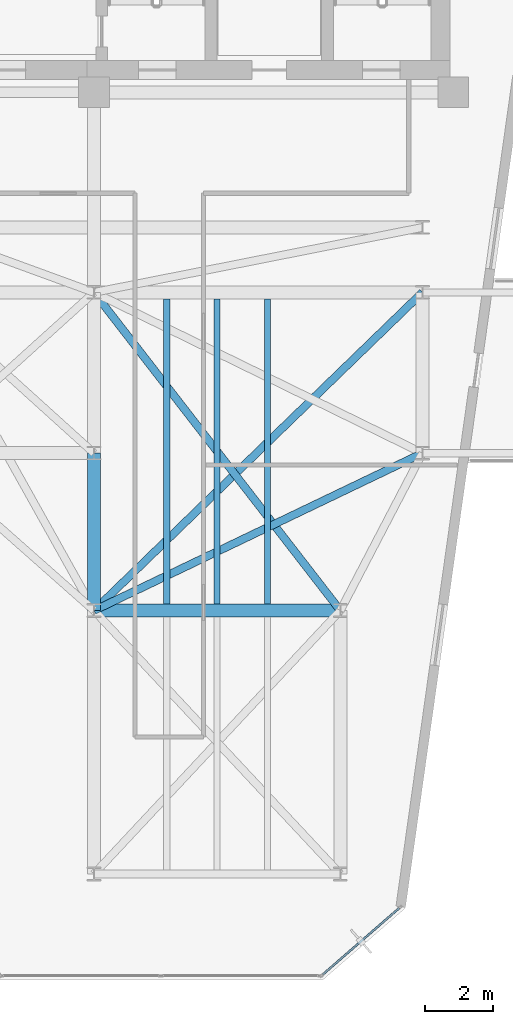
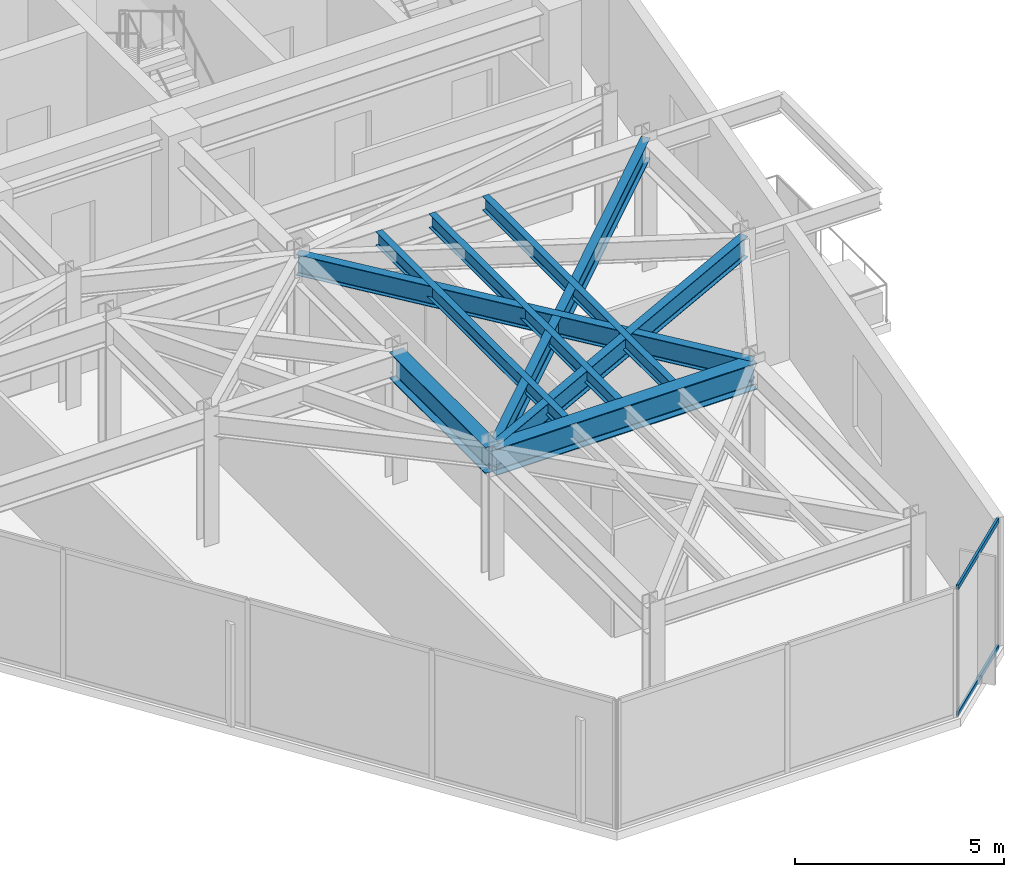
# One storey, part 19 of 27: 8 beams, 2 members, 1 element without a shape of its own.
"""IFC4 building model written with IfcOpenShell, lengths in metres."""

from ifc_helpers import new_model, si_unit, direction, frame, origin, origin_2d, place, context, subcontext, project, spatial, hollow_rectangle, i_section, extrude, material, layer, layer_set, material_profile, profile_set, type_object, element, aggregate, save


model = new_model("IFC4")

# Units and contexts
model_context = context("Model", 3, precision=1e-05, world=origin(), true_north=direction((0.0, 1.0)))
body_context = subcontext(model_context, "Body", "Model", "MODEL_VIEW")
ifc_project = project(units=[si_unit("LENGTHUNIT", "METRE"), si_unit("AREAUNIT", "SQUARE_METRE"), si_unit("VOLUMEUNIT", "CUBIC_METRE"), si_unit("PLANEANGLEUNIT", "RADIAN"), si_unit("MASSUNIT", "GRAM", prefix="KILO")], contexts=[model_context])

# Site, building, storey
site_placement = place(None, origin())
site = spatial("IfcSite", under=ifc_project, at=site_placement, CompositionType="ELEMENT")
building_placement = place(site_placement, origin())
building = spatial("IfcBuilding", under=site, at=building_placement, Name="Kravanh Interchange Tower", CompositionType="ELEMENT")
storey_placement = place(building_placement, frame((0.0, 0.0, 196.5)))
storey = spatial("IfcBuildingStorey", under=building, at=storey_placement, Name="L47", CompositionType="ELEMENT", Elevation=196.5)

# Curtain wall, members
ifc_material_1 = material(Name="Anodised Bronze Aluminium", Category="aluminium")
ifc_layer = layer(ifc_material_1, 0.179931640625)
ifc_layer_set = layer_set([ifc_layer], Name="Unitised Curtain Wall System CW-Z3 Upper Office")
curtain_wall_type = type_object("IfcCurtainWallType", Name="Unitised Curtain Wall System CW-Z3 Upper Office", PredefinedType="NOTDEFINED", material=ifc_layer_set)
curtain_wall_placement = place(storey_placement, origin())
curtain_wall = element("IfcCurtainWall", 1, at=curtain_wall_placement, inside=storey, type_object=curtain_wall_type, Name="L47 Unitised Curtain Wall CW-L47-02", PredefinedType="NOTDEFINED")
ifc_material_2 = material(Name="Anodised Bronze Aluminium", Category="aluminium")
ifc_material_profile_1 = material_profile(ifc_material_2, hollow_rectangle(XDim=0.06005859375, YDim=0.139892578125, WallThickness=0.00390625, at=origin_2d()), Name="ALU60X140X4")
ifc_profile_set_1 = profile_set([ifc_material_profile_1], Name="Anodised Bronze Aluminium")
member_type = type_object("IfcMemberType", Name="Curtain Wall Transom ALU60X140X4 Bronze", PredefinedType="USERDEFINED", material=ifc_profile_set_1)
member_1_placement = place(storey_placement, frame((64.92041015625, 13.501220703125, 0.030029296875), z_axis=(-0.754744002238, -0.656019428893, 0.0), x_axis=(0.656019428893, -0.754744002238, 0.0)))
member_1 = element("IfcMember", 2, at=member_1_placement, type_object=member_type, Name="CW-Z3 transom 1.1", ObjectType="TRANSOM", PredefinedType="USERDEFINED", context=body_context, shape_type="SweptSolid", body=[
    extrude(hollow_rectangle(XDim=0.06005859375, YDim=0.139892578125, WallThickness=0.00390625, at=origin_2d()), origin(), (0.0, 0.0, 1.0), 2.960205078125),
])
member_2_placement = place(storey_placement, frame((64.92041015625, 13.501220703125, 3.72509765625), z_axis=(-0.754744002238, -0.656019428893, 0.0), x_axis=(0.656019428893, -0.754744002238, 0.0)))
member_2 = element("IfcMember", 3, at=member_2_placement, type_object=member_type, Name="CW-Z3 transom 1.2", ObjectType="TRANSOM", PredefinedType="USERDEFINED", context=body_context, shape_type="SweptSolid", body=[
    extrude(hollow_rectangle(XDim=0.06005859375, YDim=0.139892578125, WallThickness=0.00390625, at=origin_2d()), origin(), (0.0, 0.0, 1.0), 2.960205078125),
])
aggregate(curtain_wall, [member_1, member_2])

# Beams
ifc_material_3 = material(Name="Structural Steel S355", Category="steel")
ifc_material_profile_2 = material_profile(ifc_material_3, i_section(OverallWidth=0.381103515625, OverallDepth=0.77294921875, WebThickness=0.0166015625, FlangeThickness=0.027099609375, FilletRadius=0.02490234375, at=origin_2d()), Name="W30X173")
ifc_profile_set_2 = profile_set([ifc_material_profile_2], Name="Structural Steel S355")
beam_type_1 = type_object("IfcBeamType", Name="Floor Beam W30X173 Structural Steel S355", PredefinedType="BEAM", material=ifc_profile_set_2)
beam_1_placement = place(storey_placement, frame((56.0, 26.800048828125, 3.368408203125), z_axis=(0.0, -1.0, 0.0), x_axis=(1.0, 0.0, 0.0)))
element("IfcBeam", 4, at=beam_1_placement, inside=storey, type_object=beam_type_1, Name="L47 Primary Floor Girder 53", PredefinedType="BEAM", context=body_context, shape_type="SweptSolid", body=[
    extrude(i_section(OverallWidth=0.381103515625, OverallDepth=0.77294921875, WebThickness=0.0166015625, FlangeThickness=0.027099609375, FilletRadius=0.02490234375, at=origin_2d()), origin(), (0.0, 0.0, 1.0), 4.60009765625),
])
beam_2_placement = place(storey_placement, frame((56.0, 22.199951171875, 3.368408203125), z_axis=(1.0, 0.0, 0.0), x_axis=(0.0, 1.0, 0.0)))
element("IfcBeam", 5, at=beam_2_placement, inside=storey, type_object=beam_type_1, Name="L47 Primary Floor Girder 92", PredefinedType="BEAM", context=body_context, shape_type="SweptSolid", body=[
    extrude(i_section(OverallWidth=0.381103515625, OverallDepth=0.77294921875, WebThickness=0.0166015625, FlangeThickness=0.027099609375, FilletRadius=0.02490234375, at=origin_2d()), origin(), (0.0, 0.0, 1.0), 7.199951171875),
])
ifc_material_4 = material(Name="Structural Steel S355", Category="steel")
ifc_material_profile_3 = material_profile(ifc_material_4, i_section(OverallWidth=0.177978515625, OverallDepth=0.406005859375, WebThickness=0.0078125, FlangeThickness=0.0126953125, FilletRadius=0.01611328125, at=origin_2d()), Name="W16X40")
ifc_profile_set_3 = profile_set([ifc_material_profile_3], Name="Structural Steel S355")
beam_type_2 = type_object("IfcBeamType", Name="Floor Joist W16X40 Structural Steel S355", PredefinedType="JOIST", material=ifc_profile_set_3)
for number, where, z_axis, x_axis, name in (
    (6, (58.125, 22.385498046875, 3.552001953125), (0.0, 1.0, 0.0), (-1.0, 0.0, 0.0), "L47 Secondary Floor Joist 10"),
    (7, (59.60009765625, 22.385498046875, 3.552001953125), (0.0, 1.0, 0.0), (-1.0, 0.0, 0.0), "L47 Secondary Floor Joist 11"),
    (8, (61.074951171875, 22.385498046875, 3.552001953125), (0.0, 1.0, 0.0), (-1.0, 0.0, 0.0), "L47 Secondary Floor Joist 12"),
):
    element("IfcBeam", number, at=place(storey_placement, frame(where, z_axis=z_axis, x_axis=x_axis)), inside=storey, type_object=beam_type_2, Name=name, PredefinedType="JOIST", context=body_context, shape_type="SweptSolid", body=[
        extrude(i_section(OverallWidth=0.177978515625, OverallDepth=0.406005859375, WebThickness=0.0078125, FlangeThickness=0.0126953125, FilletRadius=0.01611328125, at=origin_2d()), origin(), (0.0, 0.0, 1.0), 8.928955078125),
    ])
ifc_material_5 = material(Name="Structural Steel S355", Category="steel")
ifc_material_profile_4 = material_profile(ifc_material_5, i_section(OverallWidth=0.22802734375, OverallDepth=0.60791015625, WebThickness=0.01123046875, FlangeThickness=0.017333984375, FilletRadius=0.02197265625, at=origin_2d()), Name="W24X76")
ifc_profile_set_4 = profile_set([ifc_material_profile_4], Name="Structural Steel S355")
beam_type_3 = type_object("IfcBeamType", Name="Floor Spandrel W24X76 Structural Steel S355", PredefinedType="SPANDREL", material=ifc_profile_set_4)
beam_3_placement = place(storey_placement, frame((65.60009765625, 26.800048828125, 3.450927734375), z_axis=(-0.901814166789, -0.432124066188, 0.0), x_axis=(0.432124066188, -0.901814166789, 0.0)))
element("IfcBeam", 9, at=beam_3_placement, inside=storey, type_object=beam_type_3, Name="L47 Perimeter Spandrel 59", PredefinedType="SPANDREL", context=body_context, shape_type="SweptSolid", body=[
    extrude(i_section(OverallWidth=0.22802734375, OverallDepth=0.60791015625, WebThickness=0.01123046875, FlangeThickness=0.017333984375, FilletRadius=0.02197265625, at=origin_2d()), origin(), (0.0, 0.0, 1.0), 10.645263671875),
])
beam_4_placement = place(storey_placement, frame((56.0, 31.5, 3.450927734375), z_axis=(0.612168587637, -0.790727273028, 0.0), x_axis=(0.790727273028, 0.612168587637, 0.0)))
element("IfcBeam", 10, at=beam_4_placement, inside=storey, type_object=beam_type_3, Name="L47 Perimeter Spandrel 83", PredefinedType="SPANDREL", context=body_context, shape_type="SweptSolid", body=[
    extrude(i_section(OverallWidth=0.22802734375, OverallDepth=0.60791015625, WebThickness=0.01123046875, FlangeThickness=0.017333984375, FilletRadius=0.02197265625, at=origin_2d()), origin(), (0.0, 0.0, 1.0), 11.761474609375),
])
beam_5_placement = place(storey_placement, frame((65.60009765625, 31.5, 3.450927734375), z_axis=(-0.718241934329, -0.695793449072, 0.0), x_axis=(0.695793449072, -0.718241934329, 0.0)))
element("IfcBeam", 11, at=beam_5_placement, inside=storey, type_object=beam_type_3, Name="L47 Perimeter Spandrel 85", PredefinedType="SPANDREL", context=body_context, shape_type="SweptSolid", body=[
    extrude(i_section(OverallWidth=0.22802734375, OverallDepth=0.60791015625, WebThickness=0.01123046875, FlangeThickness=0.017333984375, FilletRadius=0.02197265625, at=origin_2d()), origin(), (0.0, 0.0, 1.0), 13.3662109375),
])

save(model, "model.ifc")
